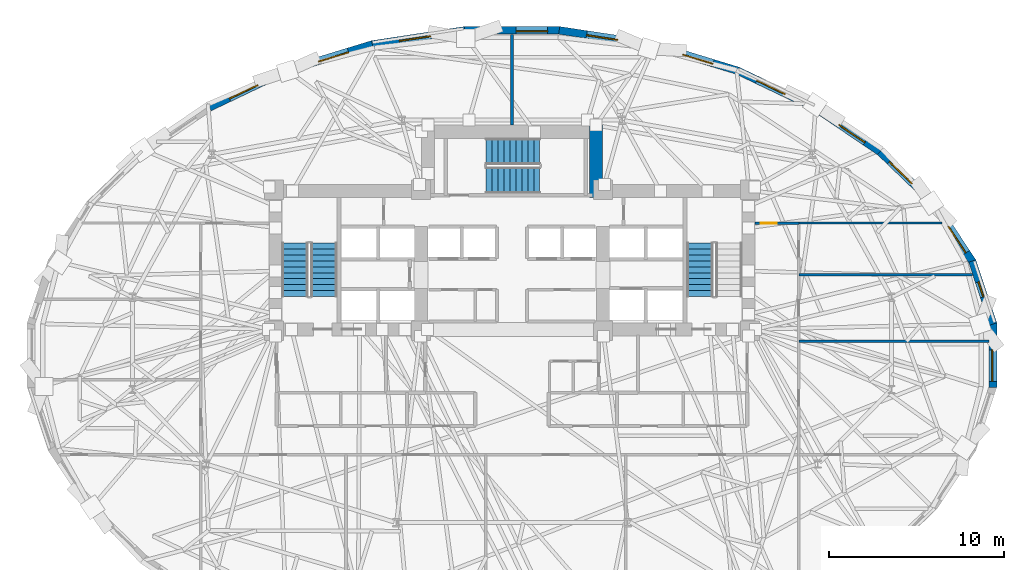
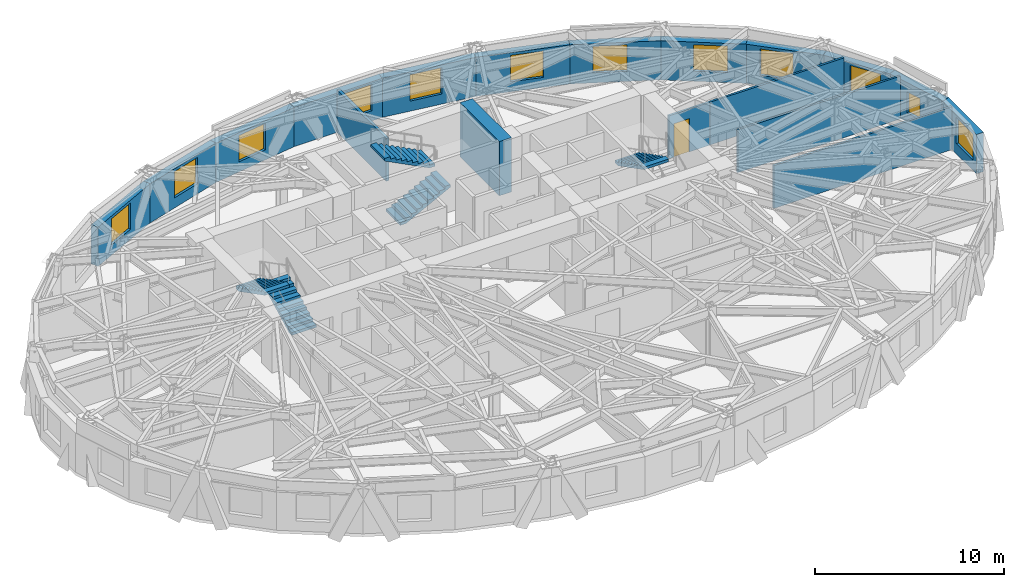
# One storey, part 10 of 15: 18 walls, 12 windows, 5 stair flights, 1 door, 13 openings, 3 elements without a shape of their own.
"""IFC4 building model written with IfcOpenShell, lengths in metres."""

from ifc_helpers import new_model, si_unit, direction, frame, frame_2d, origin, place, context, subcontext, project, spatial, polyline, rectangle, outline, extrude, material, layer, layer_set, type_object, element, fill, aggregate, save


model = new_model("IFC4")

# Units and contexts
model_context = context("Model", 3, precision=1e-05, world=origin(), true_north=direction((0.0, 1.0)))
body_context = subcontext(model_context, "Body", "Model", "MODEL_VIEW")
ifc_project = project(units=[si_unit("LENGTHUNIT", "METRE"), si_unit("AREAUNIT", "SQUARE_METRE"), si_unit("VOLUMEUNIT", "CUBIC_METRE"), si_unit("PLANEANGLEUNIT", "RADIAN"), si_unit("MASSUNIT", "GRAM", prefix="KILO")], contexts=[model_context])

# Site, building, storey
site_placement = place(None, origin())
site = spatial("IfcSite", under=ifc_project, at=site_placement, CompositionType="ELEMENT")
building_placement = place(site_placement, origin())
building = spatial("IfcBuilding", under=site, at=building_placement, Name="Keldmark Tower", CompositionType="ELEMENT")
storey_placement = place(building_placement, frame((0.0, 0.0, 110.60009765625)))
storey = spatial("IfcBuildingStorey", under=building, at=storey_placement, Name="L29", CompositionType="ELEMENT", Elevation=110.60009765625)

# Wall, opening, door
ifc_material_1 = material(Name="Acoustic Double-Layer Gypsum Corridor Partition", Category="gypsum")
ifc_layer_1 = layer(ifc_material_1, 0.139892578125)
ifc_layer_set_1 = layer_set([ifc_layer_1], Name="Acoustic Double-Layer Gypsum Corridor Partition")
wall_type_1 = type_object("IfcWallType", Name="Acoustic Corridor Partition 140 mm", PredefinedType="PARTITIONING", material=ifc_layer_set_1)
wall_1_placement = place(storey_placement, frame((13.89990234375, 7.550048828125, 0.0), z_axis=(0.0, 0.0, 1.0), x_axis=(1.0, 0.0, 0.0)))
wall_1 = element("IfcWall", 1, at=wall_1_placement, inside=storey, type_object=wall_type_1, Name="L29 Acoustic Corridor Partition 140 mm COR-EN-CAP", PredefinedType="PARTITIONING", context=body_context, shape_type="SweptSolid", body=[
    extrude(rectangle(XDim=2.5, YDim=0.139892578125, at=frame_2d((1.25, 0.0))), origin(), (0.0, 0.0, 1.0), 2.762939453125),
])
opening_1_placement = place(wall_1_placement, frame((0.320068359375, 0.0, 0.0)))
opening_1 = element("IfcOpeningElement", 2, at=opening_1_placement, cuts=wall_1, Name="Opening D-EX092", PredefinedType="OPENING", context=body_context, shape_type="SweptSolid", body=[
    extrude(rectangle(XDim=0.919921875, YDim=2.14990234375, at=frame_2d((0.4599609375, 1.074951171875))), frame((0.0, 0.079833984375, 0.0), z_axis=(0.0, -1.0, 0.0), x_axis=(1.0, 0.0, 0.0)), (0.0, 0.0, 1.0), 0.159912109375),
])
ifc_material_2 = material(Name="Flush American Ash Executive Office Door", Category="wood")
door_type = type_object("IfcDoorType", Name="Executive Office Door 920x2150", OperationType="NOTDEFINED", PredefinedType="DOOR", material=ifc_material_2)
door_placement = place(opening_1_placement, origin())
door = element("IfcDoor", 3, at=door_placement, inside=storey, type_object=door_type, Name="L29 Executive Office Door 920x2150 D-NRNE-L29", OperationType="SINGLE_SWING_RIGHT", OverallHeight=2.14990234375, OverallWidth=0.919921875, PredefinedType="DOOR", context=body_context, shape_type="SweptSolid", body=[
    extrude(rectangle(XDim=0.919921875, YDim=2.14990234375, at=frame_2d((0.4599609375, 1.074951171875))), frame((0.0, 0.02490234375, 0.0), z_axis=(0.0, -1.0, 0.0), x_axis=(1.0, 0.0, 0.0)), (0.0, 0.0, 1.0), 0.050048828125),
])
fill(opening_1, door)

# Walls
ifc_material_3 = material(Name="STC-58 Insulated Tenant Demising Gypsum Partition", Category="gypsum")
ifc_layer_2 = layer(ifc_material_3, 0.175048828125)
ifc_layer_set_2 = layer_set([ifc_layer_2], Name="STC-58 Insulated Tenant Demising Gypsum Partition")
wall_type_2 = type_object("IfcWallType", Name="Demising Suite Partition 175 mm", PredefinedType="PARTITIONING", material=ifc_layer_set_2)
wall_2_placement = place(storey_placement, frame((0.0, 13.14990234375, 0.0), z_axis=(0.0, 0.0, 1.0), x_axis=(0.0, 1.0, 0.0)))
element("IfcWall", 4, at=wall_2_placement, inside=storey, type_object=wall_type_2, Name="L29 Demising Suite Partition 175 mm N-MID-DIV", PredefinedType="PARTITIONING", context=body_context, shape_type="SweptSolid", body=[
    extrude(rectangle(XDim=5.1904296875, YDim=0.175048828125, at=frame_2d((2.59521484375, 0.0))), origin(), (0.0, 0.0, 1.0), 2.762939453125),
])
ifc_material_4 = material(Name="Acoustic Gypsum Board Interior Partition", Category="gypsum")
ifc_layer_3 = layer(ifc_material_4, 0.1298828125)
ifc_layer_set_3 = layer_set([ifc_layer_3], Name="Acoustic Gypsum Board Interior Partition")
wall_type_3 = type_object("IfcWallType", Name="Interior Partition 130 mm", PredefinedType="PARTITIONING", material=ifc_layer_set_3)
wall_3_placement = place(storey_placement, frame((16.39990234375, 7.550048828125, 0.0), z_axis=(0.0, 0.0, 1.0), x_axis=(1.0, 0.0, 0.0)))
element("IfcWall", 5, at=wall_3_placement, inside=storey, type_object=wall_type_3, Name="L29 Interior Partition 130 mm E-CAP-N", PredefinedType="PARTITIONING", context=body_context, shape_type="SweptSolid", body=[
    extrude(rectangle(XDim=8.188720703125, YDim=0.1298828125, at=frame_2d((4.09423828125, 0.0))), origin(), (0.0, 0.0, 1.0), 2.762939453125),
])
wall_4_placement = place(storey_placement, frame((16.39990234375, 0.800048828125, 0.0), z_axis=(0.0, 0.0, 1.0), x_axis=(1.0, 0.0, 0.0)))
element("IfcWall", 6, at=wall_4_placement, inside=storey, type_object=wall_type_3, Name="L29 Interior Partition 130 mm E-DIV-1", PredefinedType="PARTITIONING", context=body_context, shape_type="SweptSolid", body=[
    extrude(rectangle(XDim=10.86767578125, YDim=0.1298828125, at=frame_2d((5.433837890625, 0.0))), origin(), (0.0, 0.0, 1.0), 2.762939453125),
])
wall_5_placement = place(storey_placement, frame((16.39990234375, 4.60009765625, 0.0), z_axis=(0.0, 0.0, 1.0), x_axis=(1.0, 0.0, 0.0)))
element("IfcWall", 7, at=wall_5_placement, inside=storey, type_object=wall_type_3, Name="L29 Interior Partition 130 mm E-DIV-2", PredefinedType="PARTITIONING", context=body_context, shape_type="SweptSolid", body=[
    extrude(rectangle(XDim=9.93359375, YDim=0.1298828125, at=frame_2d((4.966796875, 0.0))), origin(), (0.0, 0.0, 1.0), 2.762939453125),
])
ifc_material_5 = material(Name="Concrete C70/85", Category="concrete")
ifc_layer_4 = layer(ifc_material_5, 0.75)
ifc_layer_set_4 = layer_set([ifc_layer_4], Name="Concrete C70/85")
wall_type_4 = type_object("IfcWallType", Name="Low-Mid Core Shear Wall 750 mm", PredefinedType="SHEAR", material=ifc_layer_set_4)
wall_6_placement = place(storey_placement, frame((4.800048828125, 9.0, 0.0), z_axis=(0.0, 0.0, 1.0), x_axis=(0.0, 1.0, 0.0)))
element("IfcWall", 8, at=wall_6_placement, inside=storey, type_object=wall_type_4, Name="L29 North Core East Shear Wall", PredefinedType="SHEAR", context=body_context, shape_type="SweptSolid", body=[
    extrude(rectangle(XDim=4.14990234375, YDim=0.75, at=frame_2d((2.074951171875, 0.0))), origin(), (0.0, 0.0, 1.0), 3.5),
])

# Wall, opening, window
ifc_material_6 = material(Name="Ironspot Manganese Brick and Kasota Buff Limestone Spandrel Assembly", Category="masonry")
ifc_layer_5 = layer(ifc_material_6, 0.43994140625)
ifc_layer_set_5 = layer_set([ifc_layer_5], Name="Ironspot Manganese Brick and Kasota Buff Limestone Spandrel Assembly")
wall_type_5 = type_object("IfcWallType", Name="Tower Brick Pier and Spandrel Wall 440 mm", PredefinedType="STANDARD", material=ifc_layer_set_5)
wall_7_placement = place(storey_placement, frame((26.313720703125, 5.385009765625, 0.0), z_axis=(0.0, 0.0, 1.0), x_axis=(0.314316911692, -0.94931811266, 0.0)))
wall_7 = element("IfcWall", 9, at=wall_7_placement, inside=storey, type_object=wall_type_5, Name="L29 Exterior Brick and Spandrel Wall 01", PredefinedType="STANDARD", context=body_context, shape_type="SweptSolid", body=[
    extrude(rectangle(XDim=3.7958984375, YDim=0.43994140625, at=frame_2d((1.89794921875, 0.0))), origin(), (0.0, 0.0, 1.0), 2.531982421875),
])
opening_2_placement = place(wall_7_placement, frame((1.248291015625, 0.0, 0.580078125)))
opening_2 = element("IfcOpeningElement", 10, at=opening_2_placement, cuts=wall_7, Name="Opening W-09", PredefinedType="OPENING", context=body_context, shape_type="SweptSolid", body=[
    extrude(rectangle(XDim=0.89990234375, YDim=1.35009765625, at=frame_2d((0.449951171875, 0.675048828125))), frame((0.0, 0.22998046875, 0.0), z_axis=(0.0, -1.0, 0.0), x_axis=(1.0, 0.0, 0.0)), (0.0, 0.0, 1.0), 0.4599609375),
])
ifc_material_7 = material(Name="Thermally Broken Anodized Aluminum and Triple Low-E Argon Glazing", Category="aluminium")
window_type_1 = type_object("IfcWindowType", Name="Corner Pier Deep-Set Window 900x1350", PartitioningType="SINGLE_PANEL", PredefinedType="WINDOW", material=ifc_material_7)
window_1_placement = place(opening_2_placement, origin())
window_1 = element("IfcWindow", 11, at=window_1_placement, inside=storey, type_object=window_type_1, Name="L29 Deep-Set Window 01", OverallHeight=1.35009765625, OverallWidth=0.89990234375, PartitioningType="SINGLE_PANEL", PredefinedType="WINDOW", context=body_context, shape_type="SweptSolid", body=[
    extrude(rectangle(XDim=0.89990234375, YDim=1.35009765625, at=frame_2d((0.449951171875, 0.675048828125))), frame((0.0, -0.010009765625, 0.0), z_axis=(0.0, -1.0, 0.0), x_axis=(1.0, 0.0, 0.0)), (0.0, 0.0, 1.0), 0.06005859375),
])
fill(opening_2, window_1)

wall_8_placement = place(storey_placement, frame((24.10986328125, 8.680419921875, 0.0), z_axis=(0.0, 0.0, 1.0), x_axis=(0.554293965046, -0.83232097193, 0.0)))
wall_8 = element("IfcWall", 12, at=wall_8_placement, inside=storey, type_object=wall_type_5, Name="L29 Exterior Brick and Spandrel Wall 02", PredefinedType="STANDARD", context=body_context, shape_type="SweptSolid", body=[
    extrude(rectangle(XDim=4.022705078125, YDim=0.43994140625, at=frame_2d((2.01123046875, 0.0))), origin(), (0.0, 0.0, 1.0), 2.52783203125),
])
opening_3_placement = place(wall_8_placement, frame((1.579345703125, 0.0, 0.64990234375)))
opening_3 = element("IfcOpeningElement", 13, at=opening_3_placement, cuts=wall_8, Name="Opening W-02", PredefinedType="OPENING", context=body_context, shape_type="SweptSolid", body=[
    extrude(rectangle(XDim=1.800048828125, YDim=1.699951171875, at=frame_2d((0.89990234375, 0.85009765625))), frame((0.0, 0.22998046875, 0.0), z_axis=(0.0, -1.0, 0.0), x_axis=(1.0, 0.0, 0.0)), (0.0, 0.0, 1.0), 0.4599609375),
])
ifc_material_8 = material(Name="Thermally Broken Anodized Aluminum and Triple Low-E Argon Glazing", Category="aluminium")
window_type_2 = type_object("IfcWindowType", Name="Office Deep-Set Triple Window 1800x1700", PartitioningType="TRIPLE_PANEL_VERTICAL", PredefinedType="WINDOW", material=ifc_material_8)
window_2_placement = place(opening_3_placement, origin())
window_2 = element("IfcWindow", 14, at=window_2_placement, inside=storey, type_object=window_type_2, Name="L29 Deep-Set Window 02", OverallHeight=1.699951171875, OverallWidth=1.800048828125, PartitioningType="SINGLE_PANEL", PredefinedType="WINDOW", context=body_context, shape_type="SweptSolid", body=[
    extrude(rectangle(XDim=1.800048828125, YDim=1.699951171875, at=frame_2d((0.89990234375, 0.85009765625))), frame((0.0, -0.010009765625, 0.0), z_axis=(0.0, -1.0, 0.0), x_axis=(1.0, 0.0, 0.0)), (0.0, 0.0, 1.0), 0.06005859375),
])
fill(opening_3, window_2)

wall_9_placement = place(storey_placement, frame((21.037109375, 11.6298828125, 0.0), z_axis=(0.0, 0.0, 1.0), x_axis=(0.720581378362, -0.693370375166, 0.0)))
wall_9 = element("IfcWall", 15, at=wall_9_placement, inside=storey, type_object=wall_type_5, Name="L29 Exterior Brick and Spandrel Wall 03", PredefinedType="STANDARD", context=body_context, shape_type="SweptSolid", body=[
    extrude(rectangle(XDim=4.306640625, YDim=0.43994140625, at=frame_2d((2.1533203125, 0.0))), origin(), (0.0, 0.0, 1.0), 2.52783203125),
])
opening_4_placement = place(wall_9_placement, frame((0.787841796875, 0.0, 0.64990234375)))
opening_4 = element("IfcOpeningElement", 16, at=opening_4_placement, cuts=wall_9, Name="Opening W-02", PredefinedType="OPENING", context=body_context, shape_type="SweptSolid", body=[
    extrude(rectangle(XDim=1.800048828125, YDim=1.699951171875, at=frame_2d((0.89990234375, 0.85009765625))), frame((0.0, 0.22998046875, 0.0), z_axis=(0.0, -1.0, 0.0), x_axis=(1.0, 0.0, 0.0)), (0.0, 0.0, 1.0), 0.4599609375),
])
window_3_placement = place(opening_4_placement, origin())
window_3 = element("IfcWindow", 17, at=window_3_placement, inside=storey, type_object=window_type_2, Name="L29 Deep-Set Window 03", OverallHeight=1.699951171875, OverallWidth=1.800048828125, PartitioningType="SINGLE_PANEL", PredefinedType="WINDOW", context=body_context, shape_type="SweptSolid", body=[
    extrude(rectangle(XDim=1.800048828125, YDim=1.699951171875, at=frame_2d((0.89990234375, 0.85009765625))), frame((0.0, -0.010009765625, 0.0), z_axis=(0.0, -1.0, 0.0), x_axis=(1.0, 0.0, 0.0)), (0.0, 0.0, 1.0), 0.06005859375),
])
fill(opening_4, window_3)

wall_10_placement = place(storey_placement, frame((17.266357421875, 14.18212890625, 0.0), z_axis=(0.0, 0.0, 1.0), x_axis=(0.827754551165, -0.56109036975, 0.0)))
wall_10 = element("IfcWall", 18, at=wall_10_placement, inside=storey, type_object=wall_type_5, Name="L29 Exterior Brick and Spandrel Wall 04", PredefinedType="STANDARD", context=body_context, shape_type="SweptSolid", body=[
    extrude(rectangle(XDim=4.590576171875, YDim=0.43994140625, at=frame_2d((2.29541015625, 0.0))), origin(), (0.0, 0.0, 1.0), 2.52783203125),
])
opening_5_placement = place(wall_10_placement, frame((1.743896484375, 0.0, 0.64990234375)))
opening_5 = element("IfcOpeningElement", 19, at=opening_5_placement, cuts=wall_10, Name="Opening W-02", PredefinedType="OPENING", context=body_context, shape_type="SweptSolid", body=[
    extrude(rectangle(XDim=1.800048828125, YDim=1.699951171875, at=frame_2d((0.89990234375, 0.85009765625))), frame((0.0, 0.22998046875, 0.0), z_axis=(0.0, -1.0, 0.0), x_axis=(1.0, 0.0, 0.0)), (0.0, 0.0, 1.0), 0.4599609375),
])
window_4_placement = place(opening_5_placement, origin())
window_4 = element("IfcWindow", 20, at=window_4_placement, inside=storey, type_object=window_type_2, Name="L29 Deep-Set Window 04", OverallHeight=1.699951171875, OverallWidth=1.800048828125, PartitioningType="SINGLE_PANEL", PredefinedType="WINDOW", context=body_context, shape_type="SweptSolid", body=[
    extrude(rectangle(XDim=1.800048828125, YDim=1.699951171875, at=frame_2d((0.89990234375, 0.85009765625))), frame((0.0, -0.010009765625, 0.0), z_axis=(0.0, -1.0, 0.0), x_axis=(1.0, 0.0, 0.0)), (0.0, 0.0, 1.0), 0.06005859375),
])
fill(opening_5, window_4)

wall_11_placement = place(storey_placement, frame((12.889892578125, 16.26953125, 0.0), z_axis=(0.0, 0.0, 1.0), x_axis=(0.902372757907, -0.430956385018, 0.0)))
wall_11 = element("IfcWall", 21, at=wall_11_placement, inside=storey, type_object=wall_type_5, Name="L29 Exterior Brick and Spandrel Wall 05", PredefinedType="STANDARD", context=body_context, shape_type="SweptSolid", body=[
    extrude(rectangle(XDim=4.881591796875, YDim=0.43994140625, at=frame_2d((2.44091796875, 0.0))), origin(), (0.0, 0.0, 1.0), 2.52783203125),
])
opening_6_placement = place(wall_11_placement, frame((1.242919921875, 0.0, 0.64990234375)))
opening_6 = element("IfcOpeningElement", 22, at=opening_6_placement, cuts=wall_11, Name="Opening W-02", PredefinedType="OPENING", context=body_context, shape_type="SweptSolid", body=[
    extrude(rectangle(XDim=1.800048828125, YDim=1.699951171875, at=frame_2d((0.89990234375, 0.85009765625))), frame((0.0, 0.22998046875, 0.0), z_axis=(0.0, -1.0, 0.0), x_axis=(1.0, 0.0, 0.0)), (0.0, 0.0, 1.0), 0.4599609375),
])
window_5_placement = place(opening_6_placement, origin())
window_5 = element("IfcWindow", 23, at=window_5_placement, inside=storey, type_object=window_type_2, Name="L29 Deep-Set Window 05", OverallHeight=1.699951171875, OverallWidth=1.800048828125, PartitioningType="SINGLE_PANEL", PredefinedType="WINDOW", context=body_context, shape_type="SweptSolid", body=[
    extrude(rectangle(XDim=1.800048828125, YDim=1.699951171875, at=frame_2d((0.89990234375, 0.85009765625))), frame((0.0, -0.010009765625, 0.0), z_axis=(0.0, -1.0, 0.0), x_axis=(1.0, 0.0, 0.0)), (0.0, 0.0, 1.0), 0.06005859375),
])
fill(opening_6, window_5)

wall_12_placement = place(storey_placement, frame((7.981201171875, 17.769287109375, 0.0), z_axis=(0.0, 0.0, 1.0), x_axis=(0.956228569431, -0.292620783617, 0.0)))
wall_12 = element("IfcWall", 24, at=wall_12_placement, inside=storey, type_object=wall_type_5, Name="L29 Exterior Brick and Spandrel Wall 06", PredefinedType="STANDARD", context=body_context, shape_type="SweptSolid", body=[
    extrude(rectangle(XDim=5.165283203125, YDim=0.43994140625, at=frame_2d((2.58251953125, 0.0))), origin(), (0.0, 0.0, 1.0), 2.52783203125),
])
opening_7_placement = place(wall_12_placement, frame((1.88037109375, 0.0, 0.64990234375)))
opening_7 = element("IfcOpeningElement", 25, at=opening_7_placement, cuts=wall_12, Name="Opening W-02", PredefinedType="OPENING", context=body_context, shape_type="SweptSolid", body=[
    extrude(rectangle(XDim=1.800048828125, YDim=1.699951171875, at=frame_2d((0.89990234375, 0.85009765625))), frame((0.0, 0.22998046875, 0.0), z_axis=(0.0, -1.0, 0.0), x_axis=(1.0, 0.0, 0.0)), (0.0, 0.0, 1.0), 0.4599609375),
])
window_6_placement = place(opening_7_placement, origin())
window_6 = element("IfcWindow", 26, at=window_6_placement, inside=storey, type_object=window_type_2, Name="L29 Deep-Set Window 06", OverallHeight=1.699951171875, OverallWidth=1.800048828125, PartitioningType="SINGLE_PANEL", PredefinedType="WINDOW", context=body_context, shape_type="SweptSolid", body=[
    extrude(rectangle(XDim=1.800048828125, YDim=1.699951171875, at=frame_2d((0.89990234375, 0.85009765625))), frame((0.0, -0.010009765625, 0.0), z_axis=(0.0, -1.0, 0.0), x_axis=(1.0, 0.0, 0.0)), (0.0, 0.0, 1.0), 0.06005859375),
])
fill(opening_7, window_6)

wall_13_placement = place(storey_placement, frame((2.69677734375, 18.57080078125, 0.0), z_axis=(0.0, 0.0, 1.0), x_axis=(0.988627497469, -0.150385076545, 0.0)))
wall_13 = element("IfcWall", 27, at=wall_13_placement, inside=storey, type_object=wall_type_5, Name="L29 Exterior Brick and Spandrel Wall 07", PredefinedType="STANDARD", context=body_context, shape_type="SweptSolid", body=[
    extrude(rectangle(XDim=5.376708984375, YDim=0.43994140625, at=frame_2d((2.6884765625, 0.0))), origin(), (0.0, 0.0, 1.0), 2.52783203125),
])
opening_8_placement = place(wall_13_placement, frame((1.58984375, 0.0, 0.64990234375)))
opening_8 = element("IfcOpeningElement", 28, at=opening_8_placement, cuts=wall_13, Name="Opening W-02", PredefinedType="OPENING", context=body_context, shape_type="SweptSolid", body=[
    extrude(rectangle(XDim=1.800048828125, YDim=1.699951171875, at=frame_2d((0.89990234375, 0.85009765625))), frame((0.0, 0.22998046875, 0.0), z_axis=(0.0, -1.0, 0.0), x_axis=(1.0, 0.0, 0.0)), (0.0, 0.0, 1.0), 0.4599609375),
])
window_7_placement = place(opening_8_placement, origin())
window_7 = element("IfcWindow", 29, at=window_7_placement, inside=storey, type_object=window_type_2, Name="L29 Deep-Set Window 07", OverallHeight=1.699951171875, OverallWidth=1.800048828125, PartitioningType="SINGLE_PANEL", PredefinedType="WINDOW", context=body_context, shape_type="SweptSolid", body=[
    extrude(rectangle(XDim=1.800048828125, YDim=1.699951171875, at=frame_2d((0.89990234375, 0.85009765625))), frame((0.0, -0.010009765625, 0.0), z_axis=(0.0, -1.0, 0.0), x_axis=(1.0, 0.0, 0.0)), (0.0, 0.0, 1.0), 0.06005859375),
])
fill(opening_8, window_7)

wall_14_placement = place(storey_placement, frame((-2.729736328125, 18.568359375, 0.0), z_axis=(0.0, 0.0, 1.0), x_axis=(1.0, 0.0, 0.0)))
wall_14 = element("IfcWall", 30, at=wall_14_placement, inside=storey, type_object=wall_type_5, Name="L29 Exterior Brick and Spandrel Wall 08", PredefinedType="STANDARD", context=body_context, shape_type="SweptSolid", body=[
    extrude(rectangle(XDim=5.45947265625, YDim=0.43994140625, at=frame_2d((2.729736328125, 0.0))), origin(), (0.0, 0.0, 1.0), 2.52783203125),
])
opening_9_placement = place(wall_14_placement, frame((2.9658203125, 0.0, 0.64990234375)))
opening_9 = element("IfcOpeningElement", 31, at=opening_9_placement, cuts=wall_14, Name="Opening W-02", PredefinedType="OPENING", context=body_context, shape_type="SweptSolid", body=[
    extrude(rectangle(XDim=1.800048828125, YDim=1.699951171875, at=frame_2d((0.89990234375, 0.85009765625))), frame((0.0, 0.22998046875, 0.0), z_axis=(0.0, -1.0, 0.0), x_axis=(1.0, 0.0, 0.0)), (0.0, 0.0, 1.0), 0.4599609375),
])
window_8_placement = place(opening_9_placement, origin())
window_8 = element("IfcWindow", 32, at=window_8_placement, inside=storey, type_object=window_type_2, Name="L29 Deep-Set Window 08", OverallHeight=1.699951171875, OverallWidth=1.800048828125, PartitioningType="SINGLE_PANEL", PredefinedType="WINDOW", context=body_context, shape_type="SweptSolid", body=[
    extrude(rectangle(XDim=1.800048828125, YDim=1.699951171875, at=frame_2d((0.89990234375, 0.85009765625))), frame((0.0, -0.010009765625, 0.0), z_axis=(0.0, -1.0, 0.0), x_axis=(1.0, 0.0, 0.0)), (0.0, 0.0, 1.0), 0.06005859375),
])
fill(opening_9, window_8)

wall_15_placement = place(storey_placement, frame((-8.012451171875, 17.76220703125, 0.0), z_axis=(0.0, 0.0, 1.0), x_axis=(0.988627497469, 0.150385076545, 0.0)))
wall_15 = element("IfcWall", 33, at=wall_15_placement, inside=storey, type_object=wall_type_5, Name="L29 Exterior Brick and Spandrel Wall 09", PredefinedType="STANDARD", context=body_context, shape_type="SweptSolid", body=[
    extrude(rectangle(XDim=5.376708984375, YDim=0.43994140625, at=frame_2d((2.6884765625, 0.0))), origin(), (0.0, 0.0, 1.0), 2.52783203125),
])
opening_10_placement = place(wall_15_placement, frame((1.58984375, 0.0, 0.64990234375)))
opening_10 = element("IfcOpeningElement", 34, at=opening_10_placement, cuts=wall_15, Name="Opening W-02", PredefinedType="OPENING", context=body_context, shape_type="SweptSolid", body=[
    extrude(rectangle(XDim=1.800048828125, YDim=1.699951171875, at=frame_2d((0.89990234375, 0.85009765625))), frame((0.0, 0.22998046875, 0.0), z_axis=(0.0, -1.0, 0.0), x_axis=(1.0, 0.0, 0.0)), (0.0, 0.0, 1.0), 0.4599609375),
])
window_9_placement = place(opening_10_placement, origin())
window_9 = element("IfcWindow", 35, at=window_9_placement, inside=storey, type_object=window_type_2, Name="L29 Deep-Set Window 09", OverallHeight=1.699951171875, OverallWidth=1.800048828125, PartitioningType="SINGLE_PANEL", PredefinedType="WINDOW", context=body_context, shape_type="SweptSolid", body=[
    extrude(rectangle(XDim=1.800048828125, YDim=1.699951171875, at=frame_2d((0.89990234375, 0.85009765625))), frame((0.0, -0.010009765625, 0.0), z_axis=(0.0, -1.0, 0.0), x_axis=(1.0, 0.0, 0.0)), (0.0, 0.0, 1.0), 0.06005859375),
])
fill(opening_10, window_9)

wall_16_placement = place(storey_placement, frame((-12.92041015625, 16.2578125, 0.0), z_axis=(0.0, 0.0, 1.0), x_axis=(0.956228569431, 0.292620783617, 0.0)))
wall_16 = element("IfcWall", 36, at=wall_16_placement, inside=storey, type_object=wall_type_5, Name="L29 Exterior Brick and Spandrel Wall 10", PredefinedType="STANDARD", context=body_context, shape_type="SweptSolid", body=[
    extrude(rectangle(XDim=5.165283203125, YDim=0.43994140625, at=frame_2d((2.58251953125, 0.0))), origin(), (0.0, 0.0, 1.0), 2.52783203125),
])
opening_11_placement = place(wall_16_placement, frame((1.9296875, 0.0, 0.64990234375)))
opening_11 = element("IfcOpeningElement", 37, at=opening_11_placement, cuts=wall_16, Name="Opening W-02", PredefinedType="OPENING", context=body_context, shape_type="SweptSolid", body=[
    extrude(rectangle(XDim=1.800048828125, YDim=1.699951171875, at=frame_2d((0.89990234375, 0.85009765625))), frame((0.0, 0.22998046875, 0.0), z_axis=(0.0, -1.0, 0.0), x_axis=(1.0, 0.0, 0.0)), (0.0, 0.0, 1.0), 0.4599609375),
])
window_10_placement = place(opening_11_placement, origin())
window_10 = element("IfcWindow", 38, at=window_10_placement, inside=storey, type_object=window_type_2, Name="L29 Deep-Set Window 10", OverallHeight=1.699951171875, OverallWidth=1.800048828125, PartitioningType="SINGLE_PANEL", PredefinedType="WINDOW", context=body_context, shape_type="SweptSolid", body=[
    extrude(rectangle(XDim=1.800048828125, YDim=1.699951171875, at=frame_2d((0.89990234375, 0.85009765625))), frame((0.0, -0.010009765625, 0.0), z_axis=(0.0, -1.0, 0.0), x_axis=(1.0, 0.0, 0.0)), (0.0, 0.0, 1.0), 0.06005859375),
])
fill(opening_11, window_10)

wall_17_placement = place(storey_placement, frame((-17.294921875, 14.165771484375, 0.0), z_axis=(0.0, 0.0, 1.0), x_axis=(0.902372757907, 0.430956385018, 0.0)))
wall_17 = element("IfcWall", 39, at=wall_17_placement, inside=storey, type_object=wall_type_5, Name="L29 Exterior Brick and Spandrel Wall 11", PredefinedType="STANDARD", context=body_context, shape_type="SweptSolid", body=[
    extrude(rectangle(XDim=4.881591796875, YDim=0.43994140625, at=frame_2d((2.44091796875, 0.0))), origin(), (0.0, 0.0, 1.0), 2.52783203125),
])
opening_12_placement = place(wall_17_placement, frame((1.242919921875, 0.0, 0.64990234375)))
opening_12 = element("IfcOpeningElement", 40, at=opening_12_placement, cuts=wall_17, Name="Opening W-02", PredefinedType="OPENING", context=body_context, shape_type="SweptSolid", body=[
    extrude(rectangle(XDim=1.800048828125, YDim=1.699951171875, at=frame_2d((0.89990234375, 0.85009765625))), frame((0.0, 0.22998046875, 0.0), z_axis=(0.0, -1.0, 0.0), x_axis=(1.0, 0.0, 0.0)), (0.0, 0.0, 1.0), 0.4599609375),
])
window_11_placement = place(opening_12_placement, origin())
window_11 = element("IfcWindow", 41, at=window_11_placement, inside=storey, type_object=window_type_2, Name="L29 Deep-Set Window 11", OverallHeight=1.699951171875, OverallWidth=1.800048828125, PartitioningType="SINGLE_PANEL", PredefinedType="WINDOW", context=body_context, shape_type="SweptSolid", body=[
    extrude(rectangle(XDim=1.800048828125, YDim=1.699951171875, at=frame_2d((0.89990234375, 0.85009765625))), frame((0.0, -0.010009765625, 0.0), z_axis=(0.0, -1.0, 0.0), x_axis=(1.0, 0.0, 0.0)), (0.0, 0.0, 1.0), 0.06005859375),
])
fill(opening_12, window_11)

wall_18_placement = place(storey_placement, frame((27.49560546875, 1.8505859375, 0.0), z_axis=(0.0, 0.0, 1.0), x_axis=(0.0, -1.0, 0.0)))
wall_18 = element("IfcWall", 42, at=wall_18_placement, inside=storey, type_object=wall_type_5, Name="L29 Exterior Brick and Spandrel Wall 32", PredefinedType="STANDARD", context=body_context, shape_type="SweptSolid", body=[
    extrude(rectangle(XDim=3.701171875, YDim=0.43994140625, at=frame_2d((1.8505859375, 0.0))), origin(), (0.0, 0.0, 1.0), 2.531982421875),
])
opening_13_placement = place(wall_18_placement, frame((1.5556640625, 0.0, 0.64990234375)))
opening_13 = element("IfcOpeningElement", 43, at=opening_13_placement, cuts=wall_18, Name="Opening W-02", PredefinedType="OPENING", context=body_context, shape_type="SweptSolid", body=[
    extrude(rectangle(XDim=1.800048828125, YDim=1.699951171875, at=frame_2d((0.89990234375, 0.85009765625))), frame((0.0, 0.22998046875, 0.0), z_axis=(0.0, -1.0, 0.0), x_axis=(1.0, 0.0, 0.0)), (0.0, 0.0, 1.0), 0.4599609375),
])
window_12_placement = place(opening_13_placement, origin())
window_12 = element("IfcWindow", 44, at=window_12_placement, inside=storey, type_object=window_type_2, Name="L29 Deep-Set Window 32", OverallHeight=1.699951171875, OverallWidth=1.800048828125, PartitioningType="SINGLE_PANEL", PredefinedType="WINDOW", context=body_context, shape_type="SweptSolid", body=[
    extrude(rectangle(XDim=1.800048828125, YDim=1.699951171875, at=frame_2d((0.89990234375, 0.85009765625))), frame((0.0, -0.010009765625, 0.0), z_axis=(0.0, -1.0, 0.0), x_axis=(1.0, 0.0, 0.0)), (0.0, 0.0, 1.0), 0.06005859375),
])
fill(opening_13, window_12)

# Stair, stair flights
ifc_material_9 = material(Name="Concrete C40/50", Category="concrete")
stair_type = type_object("IfcStairType", Name="Precast Concrete Core Exit Stair", PredefinedType="HALF_TURN_STAIR", material=ifc_material_9)
stair_1_placement = place(storey_placement, origin())
stair_1 = element("IfcStair", 45, at=stair_1_placement, inside=storey, type_object=stair_type, Name="L29 Exit Stair ST1", PredefinedType="HALF_TURN_STAIR")
ifc_material_10 = material(Name="Concrete C40/50", Category="concrete")
stair_flight_type = type_object("IfcStairFlightType", Name="Precast Concrete Stair Flight 1500 mm", PredefinedType="STRAIGHT", material=ifc_material_10)
stair_flight_1_placement = place(storey_placement, frame((-10.75, 3.35009765625, 0.0), z_axis=(0.0, 0.0, 1.0), x_axis=(0.0, 1.0, 0.0)))
stair_flight_1 = element("IfcStairFlight", 46, at=stair_flight_1_placement, type_object=stair_flight_type, Name="ST1 flight 1", NumberOfRisers=10, NumberOfTreads=9, PredefinedType="STRAIGHT", RiserHeight=0.175, TreadLength=0.34, context=body_context, shape_type="SweptSolid", body=[
    extrude(outline(polyline([(0.0, 0.0), (0.0, 0.175048828125), (0.340087890625, 0.175048828125), (0.340087890625, 0.35009765625), (0.679931640625, 0.35009765625), (0.679931640625, 0.52490234375), (1.02001953125, 0.52490234375), (1.02001953125, 0.699951171875), (1.360107421875, 0.699951171875), (1.360107421875, 0.875), (1.699951171875, 0.875), (1.699951171875, 1.050048828125), (2.0400390625, 1.050048828125), (2.0400390625, 1.22509765625), (2.3798828125, 1.22509765625), (2.3798828125, 1.39990234375), (2.719970703125, 1.39990234375), (2.719970703125, 1.574951171875), (3.06005859375, 1.574951171875), (3.06005859375, 1.75), (3.06005859375, 1.406494140625), (0.32763671875, 0.0), (0.0, 0.0)])), frame((0.0, 0.75, 0.0), z_axis=(0.0, -1.0, 0.0), x_axis=(1.0, 0.0, 0.0)), (0.0, 0.0, 1.0), 1.5),
])
stair_flight_2_placement = place(storey_placement, frame((-12.39990234375, 6.409912109375, 1.75), z_axis=(0.0, 0.0, 1.0), x_axis=(0.0, -1.0, 0.0)))
stair_flight_2 = element("IfcStairFlight", 47, at=stair_flight_2_placement, type_object=stair_flight_type, Name="ST1 flight 2", NumberOfRisers=10, NumberOfTreads=9, PredefinedType="STRAIGHT", RiserHeight=0.175, TreadLength=0.34, context=body_context, shape_type="SweptSolid", body=[
    extrude(outline(polyline([(0.0, 0.0), (0.0, 0.175048828125), (0.340087890625, 0.175048828125), (0.340087890625, 0.35009765625), (0.679931640625, 0.35009765625), (0.679931640625, 0.52490234375), (1.02001953125, 0.52490234375), (1.02001953125, 0.699951171875), (1.360107421875, 0.699951171875), (1.360107421875, 0.875), (1.699951171875, 0.875), (1.699951171875, 1.050048828125), (2.0400390625, 1.050048828125), (2.0400390625, 1.22509765625), (2.3798828125, 1.22509765625), (2.3798828125, 1.39990234375), (2.719970703125, 1.39990234375), (2.719970703125, 1.574951171875), (3.06005859375, 1.574951171875), (3.06005859375, 1.75), (3.06005859375, 1.406494140625), (0.32763671875, 0.0), (0.0, 0.0)])), frame((0.0, 0.75, 0.0), z_axis=(0.0, -1.0, 0.0), x_axis=(1.0, 0.0, 0.0)), (0.0, 0.0, 1.0), 1.5),
])
aggregate(stair_1, [stair_flight_1, stair_flight_2])

# Stair, stair flight
stair_2_placement = place(storey_placement, origin())
stair_2 = element("IfcStair", 48, at=stair_2_placement, inside=storey, type_object=stair_type, Name="L29 Exit Stair ST2", PredefinedType="HALF_TURN_STAIR")
stair_flight_3_placement = place(storey_placement, frame((10.75, 6.409912109375, 1.75), z_axis=(0.0, 0.0, 1.0), x_axis=(0.0, -1.0, 0.0)))
stair_flight_3 = element("IfcStairFlight", 49, at=stair_flight_3_placement, type_object=stair_flight_type, Name="ST2 flight 2", NumberOfRisers=10, NumberOfTreads=9, PredefinedType="STRAIGHT", RiserHeight=0.175, TreadLength=0.34, context=body_context, shape_type="SweptSolid", body=[
    extrude(outline(polyline([(0.0, 0.0), (0.0, 0.175048828125), (0.340087890625, 0.175048828125), (0.340087890625, 0.35009765625), (0.679931640625, 0.35009765625), (0.679931640625, 0.52490234375), (1.02001953125, 0.52490234375), (1.02001953125, 0.699951171875), (1.360107421875, 0.699951171875), (1.360107421875, 0.875), (1.699951171875, 0.875), (1.699951171875, 1.050048828125), (2.0400390625, 1.050048828125), (2.0400390625, 1.22509765625), (2.3798828125, 1.22509765625), (2.3798828125, 1.39990234375), (2.719970703125, 1.39990234375), (2.719970703125, 1.574951171875), (3.06005859375, 1.574951171875), (3.06005859375, 1.75), (3.06005859375, 1.406494140625), (0.32763671875, 0.0), (0.0, 0.0)])), frame((0.0, 0.75, 0.0), z_axis=(0.0, -1.0, 0.0), x_axis=(1.0, 0.0, 0.0)), (0.0, 0.0, 1.0), 1.5),
])
aggregate(stair_2, [stair_flight_3])

# Stair, stair flights
stair_3_placement = place(storey_placement, origin())
stair_3 = element("IfcStair", 50, at=stair_3_placement, inside=storey, type_object=stair_type, Name="L29 Exit Stair ST3", PredefinedType="HALF_TURN_STAIR")
stair_flight_4_placement = place(storey_placement, frame((-1.47509765625, 10.0, 0.0), z_axis=(0.0, 0.0, 1.0), x_axis=(1.0, 0.0, 0.0)))
stair_flight_4 = element("IfcStairFlight", 51, at=stair_flight_4_placement, type_object=stair_flight_type, Name="ST3 flight 1", NumberOfRisers=10, NumberOfTreads=9, PredefinedType="STRAIGHT", RiserHeight=0.175, TreadLength=0.34, context=body_context, shape_type="SweptSolid", body=[
    extrude(outline(polyline([(0.0, 0.0), (0.0, 0.175048828125), (0.340087890625, 0.175048828125), (0.340087890625, 0.35009765625), (0.679931640625, 0.35009765625), (0.679931640625, 0.52490234375), (1.02001953125, 0.52490234375), (1.02001953125, 0.699951171875), (1.360107421875, 0.699951171875), (1.360107421875, 0.875), (1.699951171875, 0.875), (1.699951171875, 1.050048828125), (2.0400390625, 1.050048828125), (2.0400390625, 1.22509765625), (2.3798828125, 1.22509765625), (2.3798828125, 1.39990234375), (2.719970703125, 1.39990234375), (2.719970703125, 1.574951171875), (3.06005859375, 1.574951171875), (3.06005859375, 1.75), (3.06005859375, 1.406494140625), (0.32763671875, 0.0), (0.0, 0.0)])), frame((0.0, 0.75, 0.0), z_axis=(0.0, -1.0, 0.0), x_axis=(1.0, 0.0, 0.0)), (0.0, 0.0, 1.0), 1.5),
])
stair_flight_5_placement = place(storey_placement, frame((1.5849609375, 11.64990234375, 1.75), z_axis=(0.0, 0.0, 1.0), x_axis=(-1.0, 0.0, 0.0)))
stair_flight_5 = element("IfcStairFlight", 52, at=stair_flight_5_placement, type_object=stair_flight_type, Name="ST3 flight 2", NumberOfRisers=10, NumberOfTreads=9, PredefinedType="STRAIGHT", RiserHeight=0.175, TreadLength=0.34, context=body_context, shape_type="SweptSolid", body=[
    extrude(outline(polyline([(0.0, 0.0), (0.0, 0.175048828125), (0.340087890625, 0.175048828125), (0.340087890625, 0.35009765625), (0.679931640625, 0.35009765625), (0.679931640625, 0.52490234375), (1.02001953125, 0.52490234375), (1.02001953125, 0.699951171875), (1.360107421875, 0.699951171875), (1.360107421875, 0.875), (1.699951171875, 0.875), (1.699951171875, 1.050048828125), (2.0400390625, 1.050048828125), (2.0400390625, 1.22509765625), (2.3798828125, 1.22509765625), (2.3798828125, 1.39990234375), (2.719970703125, 1.39990234375), (2.719970703125, 1.574951171875), (3.06005859375, 1.574951171875), (3.06005859375, 1.75), (3.06005859375, 1.406494140625), (0.32763671875, 0.0), (0.0, 0.0)])), frame((0.0, 0.75, 0.0), z_axis=(0.0, -1.0, 0.0), x_axis=(1.0, 0.0, 0.0)), (0.0, 0.0, 1.0), 1.5),
])
aggregate(stair_3, [stair_flight_4, stair_flight_5])

save(model, "model.ifc")
